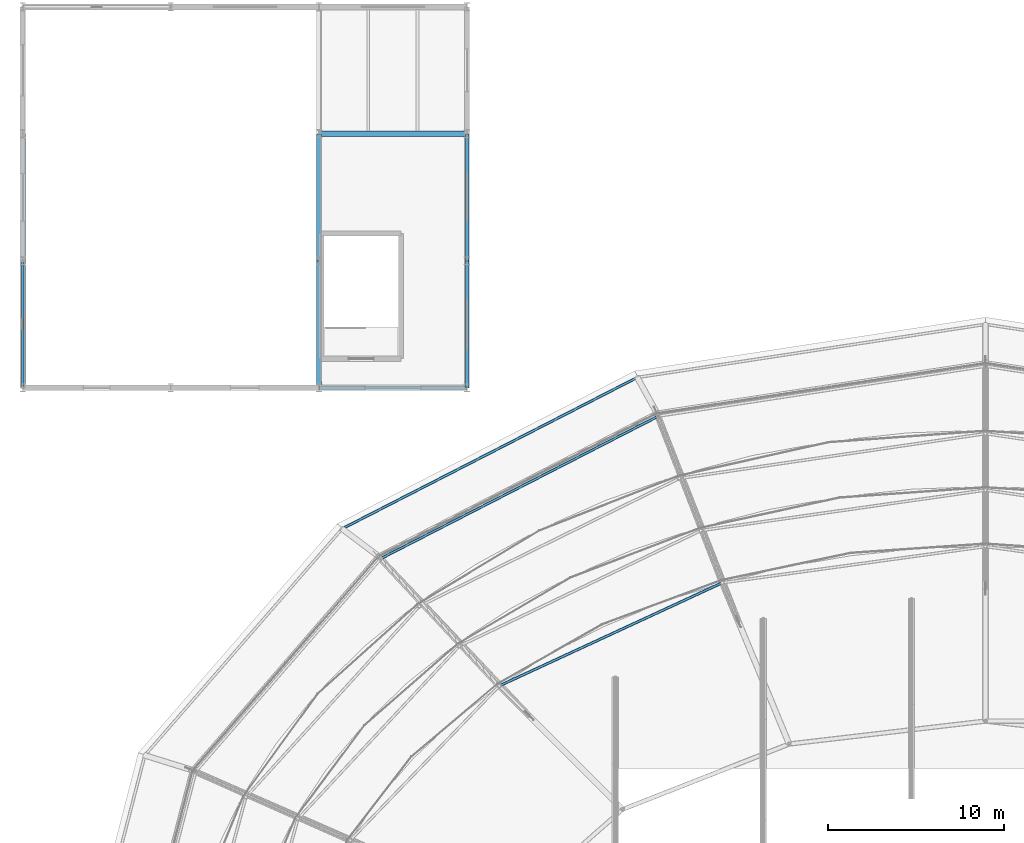
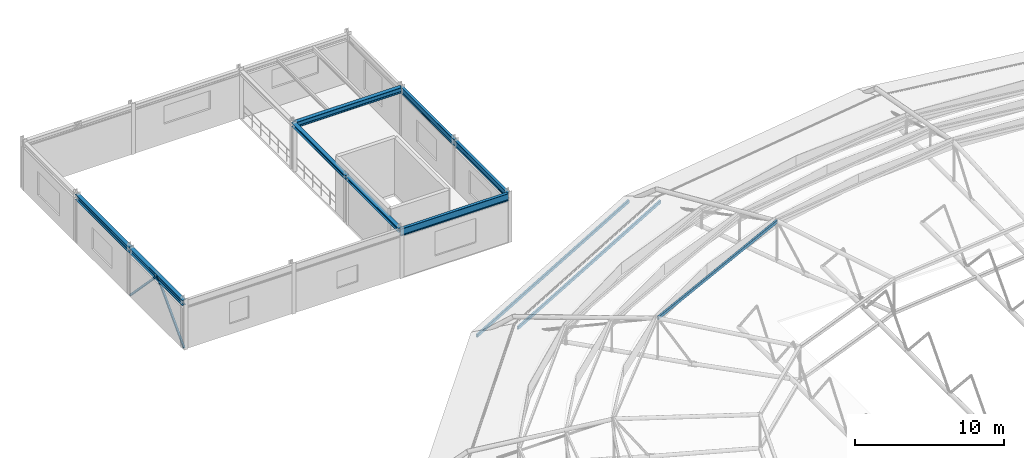
# One storey, part 42 of 134: 11 beams, 2 members.
"""IFC4 building model written with IfcOpenShell, lengths in metres."""

from ifc_helpers import new_model, si_unit, derived_unit, direction, frame, origin, origin_2d, place, context, subcontext, project, spatial, hollow_rectangle, i_section, extrude, material, material_profile, profile_set, type_object, element, save


model = new_model("IFC4")

# Units and contexts
model_context = context("Model", 3, precision=1e-05, world=origin(), true_north=direction((0.0, 1.0)))
body_context = subcontext(model_context, "Body", "Model", "MODEL_VIEW")
ifc_project = project(units=[si_unit("LENGTHUNIT", "METRE"), si_unit("AREAUNIT", "SQUARE_METRE"), si_unit("VOLUMEUNIT", "CUBIC_METRE"), si_unit("PLANEANGLEUNIT", "RADIAN"), si_unit("MASSUNIT", "GRAM", prefix="KILO"), derived_unit("THERMALTRANSMITTANCEUNIT", [(si_unit("MASSUNIT", "GRAM", prefix="KILO"), 1), (si_unit("TIMEUNIT", "SECOND"), -3), (si_unit("THERMODYNAMICTEMPERATUREUNIT", "KELVIN"), -1)])], contexts=[model_context])

# Site, building, storey
site_placement = place(None, origin())
site = spatial("IfcSite", under=ifc_project, at=site_placement, CompositionType="ELEMENT")
building_placement = place(site_placement, origin())
building = spatial("IfcBuilding", under=site, at=building_placement, Name="Kharveza Railside Sports Centre", CompositionType="ELEMENT")
storey_placement = place(building_placement, frame((0.0, 0.0, 12.89990234375)))
storey = spatial("IfcBuildingStorey", under=building, at=storey_placement, Name="L03", CompositionType="ELEMENT", Elevation=12.89990234375)

# Beams
ifc_material = material(Name="Steel S355J2", Category="steel")
ifc_material_profile_1 = material_profile(ifc_material, i_section(OverallWidth=0.219970703125, OverallDepth=0.60009765625, WebThickness=0.011962890625, FlangeThickness=0.01904296875, FilletRadius=0.02392578125, at=origin_2d()), Name="IPE 600")
ifc_profile_set_1 = profile_set([ifc_material_profile_1], Name="Steel S355J2")
beam_type_1 = type_object("IfcBeamType", Name="BM-G01", PredefinedType="T_BEAM", material=ifc_profile_set_1)
beam_1_placement = place(storey_placement, frame((16.800048828125, 86.39990234375, 3.66015625), z_axis=(1.0, 0.0, 0.0), x_axis=(0.0, 1.0, 0.0)))
element("IfcBeam", 1, at=beam_1_placement, inside=storey, type_object=beam_type_1, Name="BM-EW-L03-B01-X168-Y864", PredefinedType="T_BEAM", context=body_context, shape_type="SweptSolid", body=[
    extrude(i_section(OverallWidth=0.219970703125, OverallDepth=0.60009765625, WebThickness=0.011962890625, FlangeThickness=0.01904296875, FilletRadius=0.02392578125, at=origin_2d()), origin(), (0.0, 0.0, 1.0), 8.39990234375),
])
ifc_material_profile_2 = material_profile(ifc_material, i_section(OverallWidth=0.199951171875, OverallDepth=0.5, WebThickness=0.01025390625, FlangeThickness=0.01611328125, FilletRadius=0.02099609375, at=origin_2d()), Name="IPE 500")
ifc_profile_set_2 = profile_set([ifc_material_profile_2], Name="Steel S355J2")
beam_type_2 = type_object("IfcBeamType", Name="BM-G03", PredefinedType="T_BEAM", material=ifc_profile_set_2)
beam_2_placement = place(storey_placement, frame((25.199951171875, 86.39990234375, 3.710205078125), z_axis=(0.0, 1.0, 0.0), x_axis=(-1.0, 0.0, 0.0)))
element("IfcBeam", 2, at=beam_2_placement, inside=storey, type_object=beam_type_2, Name="BM-NS-L03-B03-X252-Y864", PredefinedType="T_BEAM", context=body_context, shape_type="SweptSolid", body=[
    extrude(i_section(OverallWidth=0.199951171875, OverallDepth=0.5, WebThickness=0.01025390625, FlangeThickness=0.01611328125, FilletRadius=0.02099609375, at=origin_2d()), origin(), (0.0, 0.0, 1.0), 7.2001953125),
])
beam_3_placement = place(storey_placement, frame((25.199951171875, 93.60009765625, 3.710205078125), z_axis=(0.0, 1.0, 0.0), x_axis=(-1.0, 0.0, 0.0)))
element("IfcBeam", 3, at=beam_3_placement, inside=storey, type_object=beam_type_2, Name="BM-NS-L03-B03-X252-Y936", PredefinedType="T_BEAM", context=body_context, shape_type="SweptSolid", body=[
    extrude(i_section(OverallWidth=0.199951171875, OverallDepth=0.5, WebThickness=0.01025390625, FlangeThickness=0.01611328125, FilletRadius=0.02099609375, at=origin_2d()), origin(), (0.0, 0.0, 1.0), 7.199951171875),
])
ifc_material_profile_3 = material_profile(ifc_material, i_section(OverallWidth=0.300048828125, OverallDepth=0.449951171875, WebThickness=0.013916015625, FlangeThickness=0.02587890625, FilletRadius=0.027099609375, at=origin_2d()), Name="HEB 450")
ifc_profile_set_3 = profile_set([ifc_material_profile_3], Name="Steel S355J2")
beam_type_3 = type_object("IfcBeamType", Name="BM-G06", PredefinedType="T_BEAM", material=ifc_profile_set_3)
beam_4_placement = place(storey_placement, frame((16.800048828125, 100.800048828125, 3.735107421875), z_axis=(1.0, 0.0, 0.0), x_axis=(0.0, 1.0, 0.0)))
element("IfcBeam", 4, at=beam_4_placement, inside=storey, type_object=beam_type_3, Name="BM-EW-L03-B06-X168-Y1008", PredefinedType="T_BEAM", context=body_context, shape_type="SweptSolid", body=[
    extrude(i_section(OverallWidth=0.300048828125, OverallDepth=0.449951171875, WebThickness=0.013916015625, FlangeThickness=0.02587890625, FilletRadius=0.027099609375, at=origin_2d()), origin(), (0.0, 0.0, 1.0), 8.39990234375),
])
ifc_material_profile_4 = material_profile(ifc_material, i_section(OverallWidth=0.300048828125, OverallDepth=0.31005859375, WebThickness=0.009033203125, FlangeThickness=0.015380859375, FilletRadius=0.027099609375, at=origin_2d()), Name="HEA 320")
ifc_profile_set_4 = profile_set([ifc_material_profile_4], Name="Steel S355J2")
beam_type_4 = type_object("IfcBeamType", Name="BM-S06", PredefinedType="BEAM", material=ifc_profile_set_4)
beam_5_placement = place(storey_placement, frame((16.800048828125, 86.39990234375, 3.80517578125), z_axis=(0.0, 1.0, 0.0), x_axis=(-1.0, 0.0, 0.0)))
element("IfcBeam", 5, at=beam_5_placement, inside=storey, type_object=beam_type_4, Name="BM-NS-L03-B14-X168-Y864", PredefinedType="BEAM", context=body_context, shape_type="SweptSolid", body=[
    extrude(i_section(OverallWidth=0.300048828125, OverallDepth=0.31005859375, WebThickness=0.009033203125, FlangeThickness=0.015380859375, FilletRadius=0.027099609375, at=origin_2d()), origin(), (0.0, 0.0, 1.0), 7.2001953125),
])
beam_6_placement = place(storey_placement, frame((16.800048828125, 93.60009765625, 3.80517578125), z_axis=(0.0, 1.0, 0.0), x_axis=(-1.0, 0.0, 0.0)))
element("IfcBeam", 6, at=beam_6_placement, inside=storey, type_object=beam_type_4, Name="BM-NS-L03-B14-X168-Y936", PredefinedType="BEAM", context=body_context, shape_type="SweptSolid", body=[
    extrude(i_section(OverallWidth=0.300048828125, OverallDepth=0.31005859375, WebThickness=0.009033203125, FlangeThickness=0.015380859375, FilletRadius=0.027099609375, at=origin_2d()), origin(), (0.0, 0.0, 1.0), 7.199951171875),
])
ifc_material_profile_5 = material_profile(ifc_material, i_section(OverallWidth=0.300048828125, OverallDepth=0.43994140625, WebThickness=0.011474609375, FlangeThickness=0.02099609375, FilletRadius=0.027099609375, at=origin_2d()), Name="HEA 450")
ifc_profile_set_5 = profile_set([ifc_material_profile_5], Name="Steel S355J2")
beam_type_5 = type_object("IfcBeamType", Name="BM-SP01", PredefinedType="SPANDREL", material=ifc_profile_set_5)
beam_7_placement = place(storey_placement, frame((0.0, 86.39990234375, 3.739990234375), z_axis=(0.0, 1.0, 0.0), x_axis=(-1.0, 0.0, 0.0)))
element("IfcBeam", 7, at=beam_7_placement, inside=storey, type_object=beam_type_5, Name="BM-NS-L03-B15-X0-Y864", PredefinedType="SPANDREL", context=body_context, shape_type="SweptSolid", body=[
    extrude(i_section(OverallWidth=0.300048828125, OverallDepth=0.43994140625, WebThickness=0.011474609375, FlangeThickness=0.02099609375, FilletRadius=0.027099609375, at=origin_2d()), origin(), (0.0, 0.0, 1.0), 7.2001953125),
])
beam_8_placement = place(storey_placement, frame((0.0, 93.60009765625, 3.739990234375), z_axis=(0.0, 1.0, 0.0), x_axis=(-1.0, 0.0, 0.0)))
element("IfcBeam", 8, at=beam_8_placement, inside=storey, type_object=beam_type_5, Name="BM-NS-L03-B15-X0-Y936", PredefinedType="SPANDREL", context=body_context, shape_type="SweptSolid", body=[
    extrude(i_section(OverallWidth=0.300048828125, OverallDepth=0.43994140625, WebThickness=0.011474609375, FlangeThickness=0.02099609375, FilletRadius=0.027099609375, at=origin_2d()), origin(), (0.0, 0.0, 1.0), 7.199951171875),
])
ifc_material_profile_6 = material_profile(ifc_material, hollow_rectangle(XDim=0.14990234375, YDim=0.25, WallThickness=0.010009765625, InnerFilletRadius=0.010009765625, OuterFilletRadius=0.02001953125, at=origin_2d()), Name="RHS 150x250x10.0")
ifc_profile_set_6 = profile_set([ifc_material_profile_6], Name="Steel S355J2")
beam_type_6 = type_object("IfcBeamType", Name="BM-SP04", PredefinedType="SPANDREL", material=ifc_profile_set_6)
beam_9_placement = place(storey_placement, frame((36.05126953125, 84.793212890625, 0.405029296875), z_axis=(-0.889684255974, -0.456576307612, 0.0), x_axis=(0.456576307612, -0.889684255974, 0.0)))
element("IfcBeam", 9, at=beam_9_placement, inside=storey, type_object=beam_type_6, Name="BM-LIDRING-S1-06", PredefinedType="SPANDREL", context=body_context, shape_type="SweptSolid", body=[
    extrude(hollow_rectangle(XDim=0.14990234375, YDim=0.25, WallThickness=0.010009765625, InnerFilletRadius=0.010009765625, OuterFilletRadius=0.02001953125, at=origin_2d()), origin(), (0.0, 0.0, 1.0), 17.674560546875),
])
beam_10_placement = place(storey_placement, frame((39.67529296875, 75.3447265625, 3.255126953125), z_axis=(-0.907597679529, -0.419840984319, 0.0), x_axis=(0.419840984319, -0.907597679529, 0.0)))
element("IfcBeam", 10, at=beam_10_placement, inside=storey, type_object=beam_type_6, Name="BM-LIDRING-S4-06", PredefinedType="SPANDREL", context=body_context, shape_type="SweptSolid", body=[
    extrude(hollow_rectangle(XDim=0.14990234375, YDim=0.25, WallThickness=0.010009765625, InnerFilletRadius=0.010009765625, OuterFilletRadius=0.02001953125, at=origin_2d()), origin(), (0.0, 0.0, 1.0), 13.9404296875),
])
beam_11_placement = place(storey_placement, frame((34.853515625, 86.985595703125, -0.47998046875), z_axis=(-0.889828406465, -0.456295306844, 0.0), x_axis=(0.456295306844, -0.889828406465, 0.0)))
element("IfcBeam", 11, at=beam_11_placement, inside=storey, type_object=beam_type_6, Name="BM-LIDRING-RIM-06", PredefinedType="SPANDREL", context=body_context, shape_type="SweptSolid", body=[
    extrude(hollow_rectangle(XDim=0.14990234375, YDim=0.25, WallThickness=0.010009765625, InnerFilletRadius=0.010009765625, OuterFilletRadius=0.02001953125, at=origin_2d()), origin(), (0.0, 0.0, 1.0), 18.81298828125),
])

# Members
ifc_material_profile_7 = material_profile(ifc_material, hollow_rectangle(XDim=0.14990234375, YDim=0.14990234375, WallThickness=0.008056640625, InnerFilletRadius=0.008056640625, OuterFilletRadius=0.01611328125, at=origin_2d()), Name="SHS 150x150x8.0")
ifc_profile_set_7 = profile_set([ifc_material_profile_7], Name="Steel S355J2")
member_type = type_object("IfcMemberType", Name="MB-BR02", PredefinedType="BRACE", material=ifc_profile_set_7)
for number, where, z_axis, x_axis, name in (
    (12, (0.0, 86.39990234375, 0.0), (0.0, 0.692541604294, 0.721377935844), (-1.0, 0.0, 0.0), "MB-CHEV-NS-026A"),
    (13, (0.0, 93.60009765625, 0.0), (0.0, -0.692541604294, 0.721377935844), (1.0, 0.0, 0.0), "MB-CHEV-NS-026B"),
):
    element("IfcMember", number, at=place(storey_placement, frame(where, z_axis=z_axis, x_axis=x_axis)), inside=storey, type_object=member_type, Name=name, PredefinedType="BRACE", context=body_context, shape_type="SweptSolid", body=[
        extrude(hollow_rectangle(XDim=0.14990234375, YDim=0.14990234375, WallThickness=0.008056640625, InnerFilletRadius=0.008056640625, OuterFilletRadius=0.01611328125, at=origin_2d()), origin(), (0.0, 0.0, 1.0), 5.198486328125),
    ])

save(model, "model.ifc")
